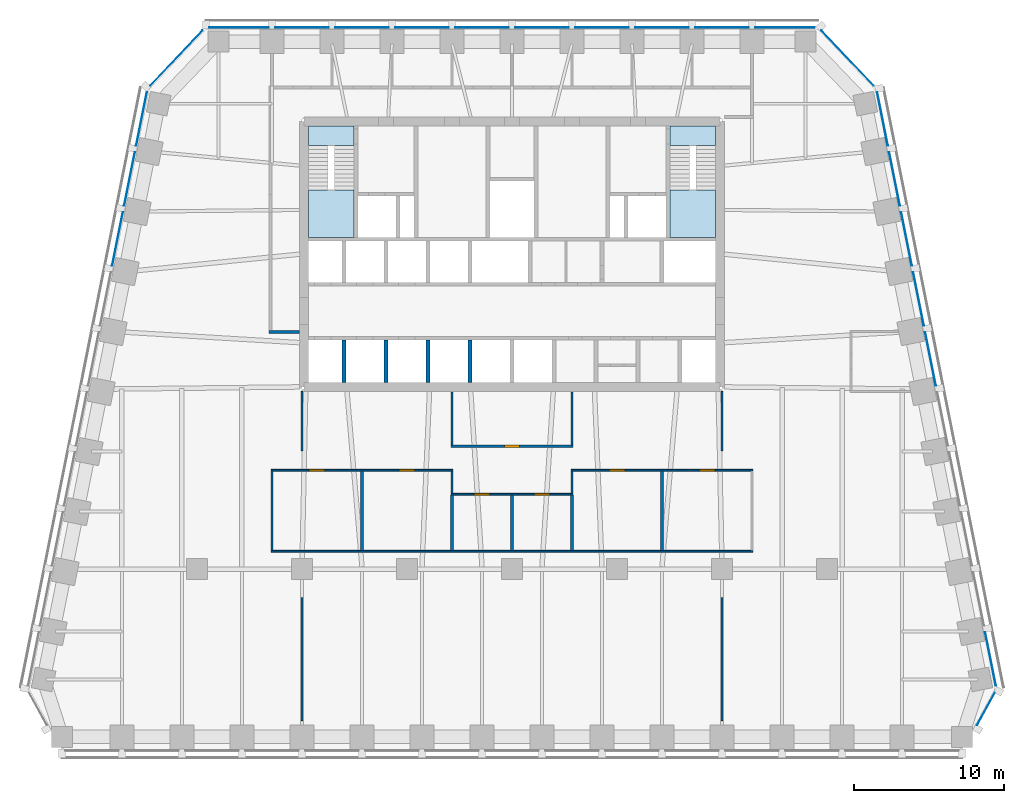
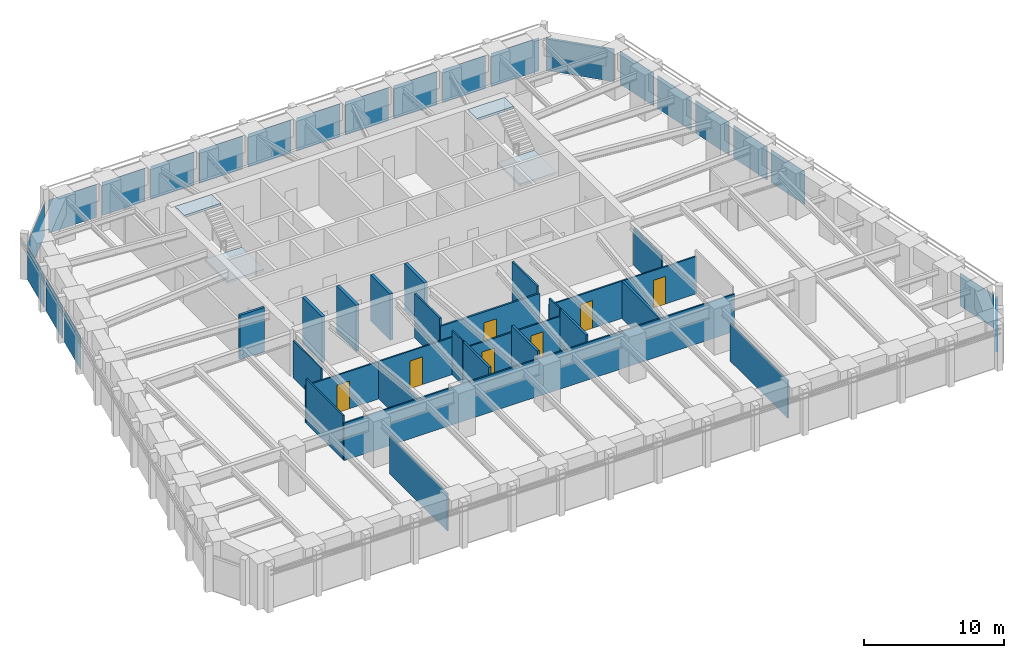
# One storey, part 5 of 10: 24 walls, 22 plates, 7 doors, 4 slabs, 7 openings, 8 elements without a shape of their own.
"""IFC4 building model written with IfcOpenShell, lengths in metres."""

import ifcopenshell
import ifcopenshell.guid

model = None  # the IFC model being written
_history = None  # IfcOwnerHistory: only IFC2X3 demands one
_inside = {}  # id of a spatial element -> (the spatial element, [elements in it])
_under = {}  # id of a project, library or spatial element -> (it, [spatial elements below it])
_declared = {}  # id of a project -> (the project, [libraries it declares])
_typed = {}  # id of a type object -> (the type object, [elements of that type])
_made_of = {}  # id of a material, layer set ... -> (it, [elements and type objects made of it])


def new_model(schema):
    """Start an empty IFC model of exactly this schema.

    Asked for "IFC4X3", IfcOpenShell would pick the latest addendum, in which some entities
    have other attributes; the version numbers below select the first issue.
    IFC2X3 requires an IfcOwnerHistory on every rooted entity: one is made here for all.
    """
    global model, _history
    if schema == "IFC4X3":
        model = ifcopenshell.file(schema_version=(4, 3, 0, 0))
    else:
        model = ifcopenshell.file(schema=schema)
    _inside.clear()
    _under.clear()
    _declared.clear()
    _typed.clear()
    _made_of.clear()
    _history = None
    if model.schema == "IFC2X3":
        org = make("IfcOrganization", Name="unknown")
        user = make(
            "IfcPersonAndOrganization",
            ThePerson=make("IfcPerson", FamilyName="unknown"),
            TheOrganization=org,
        )
        app = make(
            "IfcApplication",
            ApplicationDeveloper=org,
            Version="unknown",
            ApplicationFullName="unknown",
            ApplicationIdentifier="unknown",
        )
        _history = make(
            "IfcOwnerHistory",
            OwningUser=user,
            OwningApplication=app,
            ChangeAction="ADDED",
            CreationDate=0,
        )
    return model


def make(cls, **values):
    """One entity of the class cls with the attributes given. An attribute that is None is left unset."""
    return model.create_entity(
        cls, **{name: value for name, value in values.items() if value is not None}
    )


def rooted(cls, **values):
    """An entity with a GlobalId (a new one), such as an element, a storey or a relation."""
    return make(cls, GlobalId=ifcopenshell.guid.new(), OwnerHistory=_history, **values)


def si_unit(unit_type, name, prefix=None):
    """IfcSIUnit, for example si_unit("LENGTHUNIT", "METRE", prefix="MILLI")."""
    return make("IfcSIUnit", UnitType=unit_type, Prefix=prefix, Name=name)


def assignment(units):
    """IfcUnitAssignment: the units of a project."""
    return None if units is None else make("IfcUnitAssignment", Units=units)


def point(xyz):
    """IfcCartesianPoint."""
    return None if xyz is None else make("IfcCartesianPoint", Coordinates=xyz)


def direction(xyz):
    """IfcDirection."""
    return None if xyz is None else make("IfcDirection", DirectionRatios=xyz)


def frame(location, z_axis=None, x_axis=None):
    """IfcAxis2Placement3D, a coordinate frame: its origin and axes. An axis left out is left unset."""
    return make(
        "IfcAxis2Placement3D",
        Location=point(location),
        Axis=direction(z_axis),
        RefDirection=direction(x_axis),
    )


def frame_2d(location, x_axis=None):
    """IfcAxis2Placement2D, a coordinate frame in the plane: its origin and x axis."""
    return make(
        "IfcAxis2Placement2D", Location=point(location), RefDirection=direction(x_axis)
    )


def origin():
    """The frame at (0, 0, 0) with its axes left unset."""
    return frame((0.0, 0.0, 0.0))


def origin_2d():
    """The frame at (0, 0) in the plane with its x axis left unset."""
    return frame_2d((0.0, 0.0))


def place(relative_to, where):
    """IfcLocalPlacement: puts the frame where relative to a parent placement (None: the world)."""
    return make(
        "IfcLocalPlacement", PlacementRelTo=relative_to, RelativePlacement=where
    )


def context(
    kind, dimensions, precision=None, world=None, true_north=None, identifier=None
):
    """IfcGeometricRepresentationContext, for example the 3D "Model" context."""
    return make(
        "IfcGeometricRepresentationContext",
        ContextIdentifier=identifier,
        ContextType=kind,
        CoordinateSpaceDimension=dimensions,
        Precision=precision,
        WorldCoordinateSystem=world,
        TrueNorth=true_north,
    )


def subcontext(parent, identifier, kind, view, scale=None):
    """IfcGeometricRepresentationSubContext, for example "Body" below "Model"."""
    return make(
        "IfcGeometricRepresentationSubContext",
        ContextIdentifier=identifier,
        ContextType=kind,
        ParentContext=parent,
        TargetScale=scale,
        TargetView=view,
    )


def project(units=None, contexts=None):
    """IfcProject with its units and contexts."""
    return rooted(
        "IfcProject",
        Name="project",
        RepresentationContexts=contexts,
        UnitsInContext=assignment(units),
    )


def spatial(cls, under=None, at=None, **own):
    """A site, building, storey or space (cls), placed at a placement, below another one or the project."""
    s = rooted(cls, ObjectPlacement=at, **own)
    if under is not None:
        _under.setdefault(under.id(), (under, []))[1].append(s)
    return s


def polyline(points):
    """IfcPolyline through the points."""
    return make("IfcPolyline", Points=[point(p) for p in points])


def profile(cls, at=None, kind="AREA", **sizes):
    """A parametric profile (cls). Its sizes go by their IFC names, for example OverallWidth=200.0."""
    return make(cls, ProfileType=kind, Position=at, **sizes)


def rectangle(**sizes):
    """IfcRectangleProfileDef."""
    return profile("IfcRectangleProfileDef", **sizes)


def outline(outer, holes=None, kind="AREA"):
    """IfcArbitraryClosedProfileDef: a profile drawn as a closed curve; with holes, ...WithVoids."""
    if holes is None:
        return make("IfcArbitraryClosedProfileDef", ProfileType=kind, OuterCurve=outer)
    return make(
        "IfcArbitraryProfileDefWithVoids",
        ProfileType=kind,
        OuterCurve=outer,
        InnerCurves=holes,
    )


def extrude(swept, where, along, depth):
    """IfcExtrudedAreaSolid: the profile swept, set in the frame where, extruded along a direction by depth."""
    return make(
        "IfcExtrudedAreaSolid",
        SweptArea=swept,
        Position=where,
        ExtrudedDirection=direction(along),
        Depth=depth,
    )


def shape(context_of_items, identifier, shape_type, items):
    """IfcShapeRepresentation: the items that make up one representation, for example the "Body"."""
    return make(
        "IfcShapeRepresentation",
        ContextOfItems=context_of_items,
        RepresentationIdentifier=identifier,
        RepresentationType=shape_type,
        Items=items,
    )


def material(Name=None, Category=None):
    """IfcMaterial."""
    return make("IfcMaterial", Name=Name, Category=Category)


def layer(
    of_material, thickness, ventilated=None, Name=None, Category=None, Priority=None
):
    """IfcMaterialLayer: one layer of a wall or slab, of a material (None: an air gap)."""
    return make(
        "IfcMaterialLayer",
        Material=of_material,
        LayerThickness=thickness,
        IsVentilated=ventilated,
        Name=Name,
        Category=Category,
        Priority=Priority,
    )


def layer_set(layers, Name=None):
    """IfcMaterialLayerSet."""
    return make("IfcMaterialLayerSet", MaterialLayers=layers, LayerSetName=Name)


def made_of(thing, what):
    """Note that an element or type object is made of a material, layer set ...; save() writes the relation."""
    if what is not None:
        _made_of.setdefault(what.id(), (what, []))[1].append(thing)
    return thing


def type_object(cls, material=None, **own):
    """A type object (cls), such as IfcWallType, which elements share."""
    return made_of(rooted(cls, **own), material)


def element(
    cls,
    number,
    at=None,
    inside=None,
    cuts=None,
    type_object=None,
    material=None,
    context=None,
    identifier="Body",
    shape_type=None,
    held_by="IfcProductDefinitionShape",
    body=None,
    shapes=None,
    **own,
):
    """One element of the class cls, such as IfcWall. Its Tag is "e" and its number.

    at: its placement. inside: the storey or other place that contains it. cuts: it is an
    opening in that element (IfcRelVoidsElement). A single representation is given by context,
    identifier, shape_type and body (its items); several are given by shapes. held_by: the class
    of the entity that holds the representations. save() writes the other relations.
    """
    e = rooted(cls, Tag="e%d" % number, ObjectPlacement=at, **own)
    if body is not None:
        shapes = [shape(context, identifier, shape_type, body)]
    if shapes is not None:
        e.Representation = make(held_by, Representations=shapes)
    if inside is not None:
        _inside.setdefault(inside.id(), (inside, []))[1].append(e)
    if cuts is not None:
        rooted(
            "IfcRelVoidsElement", RelatingBuildingElement=cuts, RelatedOpeningElement=e
        )
    if type_object is not None:
        _typed.setdefault(type_object.id(), (type_object, []))[1].append(e)
    return made_of(e, material)


def fill(opening, filler):
    """IfcRelFillsElement: the door or window that sits in an opening."""
    return rooted(
        "IfcRelFillsElement",
        RelatingOpeningElement=opening,
        RelatedBuildingElement=filler,
    )


def aggregate(whole, parts):
    """IfcRelAggregates: a whole, such as a stair, and the parts it consists of."""
    return rooted("IfcRelAggregates", RelatingObject=whole, RelatedObjects=parts)


def save(model, path):
    """Write the relations noted so far, then the file.

    IfcRelAggregates (storeys below a building ...), IfcRelContainedInSpatialStructure (elements
    in a storey), IfcRelDefinesByType, IfcRelAssociatesMaterial and IfcRelDeclares: one each for
    every whole, place, type object, material and project.
    """
    for whole, parts in _under.values():
        aggregate(whole, parts)
    for where, things in _inside.values():
        rooted(
            "IfcRelContainedInSpatialStructure",
            RelatedElements=things,
            RelatingStructure=where,
        )
    for kind, things in _typed.values():
        rooted("IfcRelDefinesByType", RelatedObjects=things, RelatingType=kind)
    for what, things in _made_of.values():
        rooted("IfcRelAssociatesMaterial", RelatedObjects=things, RelatingMaterial=what)
    for by, libraries in _declared.values():
        rooted("IfcRelDeclares", RelatingContext=by, RelatedDefinitions=libraries)
    model.write(path)


model = new_model("IFC4")

# Units and contexts
model_context = context("Model", 3, precision=1e-05, world=origin(), true_north=direction((0.0, 1.0)))
body_context = subcontext(model_context, "Body", "Model", "MODEL_VIEW")
ifc_project = project(units=[si_unit("LENGTHUNIT", "METRE"), si_unit("AREAUNIT", "SQUARE_METRE"), si_unit("VOLUMEUNIT", "CUBIC_METRE"), si_unit("PLANEANGLEUNIT", "RADIAN"), si_unit("MASSUNIT", "GRAM", prefix="KILO")], contexts=[model_context])

# Site, building, storey
site_placement = place(None, origin())
site = spatial("IfcSite", under=ifc_project, at=site_placement, CompositionType="ELEMENT")
building_placement = place(site_placement, origin())
building = spatial("IfcBuilding", under=site, at=building_placement, Name="Isbrekke Arena Tower", CompositionType="ELEMENT")
storey_placement = place(building_placement, frame((0.0, 0.0, 186.0)))
storey = spatial("IfcBuildingStorey", under=building, at=storey_placement, Name="L42", CompositionType="ELEMENT", Elevation=186.0)

# Curtain wall, plate
ifc_material_1 = material(Name="Glazed aluminium curtain wall", Category="aluminium")
curtain_wall_type = type_object("IfcCurtainWallType", Name="CWH TOWER CURTAIN WALL HIGH ZONE", PredefinedType="USERDEFINED", material=ifc_material_1)
curtain_wall_1_placement = place(storey_placement, origin())
curtain_wall_1 = element("IfcCurtainWall", 1, at=curtain_wall_1_placement, inside=storey, type_object=curtain_wall_type, Name="CWH curtain wall L42-SE", ObjectType="TOWER CURTAIN WALL HIGH ZONE", PredefinedType="USERDEFINED")
ifc_material_2 = material(Name="Triple-glazed clear glass unit", Category="glass")
ifc_layer_1 = layer(ifc_material_2, 0.031982421875)
ifc_layer_set_1 = layer_set([ifc_layer_1], Name="CWH-P VISION PANEL")
plate_type = type_object("IfcPlateType", Name="CWH-P VISION PANEL", PredefinedType="CURTAIN_PANEL", material=ifc_layer_set_1)
plate_1_placement = place(storey_placement, frame((31.5908203125, -15.3154296875, 0.02001953125), z_axis=(0.0, 0.0, 1.0), x_axis=(0.481918749773, 0.876215908676, 0.0)))
plate_1 = element("IfcPlate", 2, at=plate_1_placement, type_object=plate_type, Name="CWH-P panel 1", PredefinedType="CURTAIN_PANEL", context=body_context, shape_type="SweptSolid", body=[
    extrude(rectangle(XDim=2.4423828125, YDim=0.031982421875, at=origin_2d()), origin(), (0.0, 0.0, 1.0), 2.8798828125),
])
aggregate(curtain_wall_1, [plate_1])

# Curtain wall, plates
curtain_wall_2_placement = place(storey_placement, origin())
curtain_wall_2 = element("IfcCurtainWall", 3, at=curtain_wall_2_placement, inside=storey, type_object=curtain_wall_type, Name="CWH curtain wall L42-E", ObjectType="TOWER CURTAIN WALL HIGH ZONE", PredefinedType="USERDEFINED")
plate_2_placement = place(storey_placement, frame((31.89794921875, -11.98046875, 0.02001953125), z_axis=(0.0, 0.0, 1.0), x_axis=(-0.196116135138, 0.980580675691, 0.0)))
plate_2 = element("IfcPlate", 4, at=plate_2_placement, type_object=plate_type, Name="CWH-P panel 1", PredefinedType="CURTAIN_PANEL", context=body_context, shape_type="SweptSolid", body=[
    extrude(rectangle(XDim=3.629150390625, YDim=0.031982421875, at=origin_2d()), origin(), (0.0, 0.0, 1.0), 2.8798828125),
])
plate_3_placement = place(storey_placement, frame((27.89794921875, 8.01953125, 0.02001953125), z_axis=(0.0, 0.0, 1.0), x_axis=(-0.196116135138, 0.980580675691, 0.0)))
plate_3 = element("IfcPlate", 5, at=plate_3_placement, type_object=plate_type, Name="CWH-P panel 6", PredefinedType="CURTAIN_PANEL", context=body_context, shape_type="SweptSolid", body=[
    extrude(rectangle(XDim=3.629150390625, YDim=0.031982421875, at=origin_2d()), origin(), (0.0, 0.0, 1.0), 2.8798828125),
])
plate_4_placement = place(storey_placement, frame((27.09814453125, 12.01953125, 0.02001953125), z_axis=(0.0, 0.0, 1.0), x_axis=(-0.196116135138, 0.980580675691, 0.0)))
plate_4 = element("IfcPlate", 6, at=plate_4_placement, type_object=plate_type, Name="CWH-P panel 7", PredefinedType="CURTAIN_PANEL", context=body_context, shape_type="SweptSolid", body=[
    extrude(rectangle(XDim=3.629150390625, YDim=0.031982421875, at=origin_2d()), origin(), (0.0, 0.0, 1.0), 2.8798828125),
])
plate_5_placement = place(storey_placement, frame((26.298095703125, 16.01953125, 0.02001953125), z_axis=(0.0, 0.0, 1.0), x_axis=(-0.196116135138, 0.980580675691, 0.0)))
plate_5 = element("IfcPlate", 7, at=plate_5_placement, type_object=plate_type, Name="CWH-P panel 8", PredefinedType="CURTAIN_PANEL", context=body_context, shape_type="SweptSolid", body=[
    extrude(rectangle(XDim=3.629150390625, YDim=0.031982421875, at=origin_2d()), origin(), (0.0, 0.0, 1.0), 2.8798828125),
])
plate_6_placement = place(storey_placement, frame((25.498046875, 20.01953125, 0.02001953125), z_axis=(0.0, 0.0, 1.0), x_axis=(-0.196116135138, 0.980580675691, 0.0)))
plate_6 = element("IfcPlate", 8, at=plate_6_placement, type_object=plate_type, Name="CWH-P panel 9", PredefinedType="CURTAIN_PANEL", context=body_context, shape_type="SweptSolid", body=[
    extrude(rectangle(XDim=3.629150390625, YDim=0.031982421875, at=origin_2d()), origin(), (0.0, 0.0, 1.0), 2.8798828125),
])
plate_7_placement = place(storey_placement, frame((24.697998046875, 24.01953125, 0.02001953125), z_axis=(0.0, 0.0, 1.0), x_axis=(-0.196116135138, 0.980580675691, 0.0)))
plate_7 = element("IfcPlate", 9, at=plate_7_placement, type_object=plate_type, Name="CWH-P panel 10", PredefinedType="CURTAIN_PANEL", context=body_context, shape_type="SweptSolid", body=[
    extrude(rectangle(XDim=3.629150390625, YDim=0.031982421875, at=origin_2d()), origin(), (0.0, 0.0, 1.0), 2.8798828125),
])
aggregate(curtain_wall_2, [plate_2, plate_3, plate_4, plate_5, plate_6, plate_7])

# Curtain wall, plate
curtain_wall_3_placement = place(storey_placement, origin())
curtain_wall_3 = element("IfcCurtainWall", 10, at=curtain_wall_3_placement, inside=storey, type_object=curtain_wall_type, Name="CWH curtain wall L42-EN", ObjectType="TOWER CURTAIN WALL HIGH ZONE", PredefinedType="USERDEFINED")
plate_8_placement = place(storey_placement, frame((22.37255859375, 28.06884765625, 0.02001953125), z_axis=(0.0, 0.0, 1.0), x_axis=(-0.68874946192, 0.72499943359, 0.0)))
plate_8 = element("IfcPlate", 11, at=plate_8_placement, type_object=plate_type, Name="CWH-P panel 1", PredefinedType="CURTAIN_PANEL", context=body_context, shape_type="SweptSolid", body=[
    extrude(rectangle(XDim=5.067138671875, YDim=0.031982421875, at=origin_2d()), origin(), (0.0, 0.0, 1.0), 2.8798828125),
])
aggregate(curtain_wall_3, [plate_8])

# Curtain wall, plates
curtain_wall_4_placement = place(storey_placement, origin())
curtain_wall_4 = element("IfcCurtainWall", 12, at=curtain_wall_4_placement, inside=storey, type_object=curtain_wall_type, Name="CWH curtain wall L42-N", ObjectType="TOWER CURTAIN WALL HIGH ZONE", PredefinedType="USERDEFINED")
plate_9_placement = place(storey_placement, frame((18.199951171875, 30.10009765625, 0.02001953125), z_axis=(0.0, 0.0, 1.0), x_axis=(-1.0, 0.0, 0.0)))
plate_9 = element("IfcPlate", 13, at=plate_9_placement, type_object=plate_type, Name="CWH-P panel 1", PredefinedType="CURTAIN_PANEL", context=body_context, shape_type="SweptSolid", body=[
    extrude(rectangle(XDim=3.949951171875, YDim=0.031982421875, at=origin_2d()), origin(), (0.0, 0.0, 1.0), 2.8798828125),
])
plate_10_placement = place(storey_placement, frame((14.0, 30.10009765625, 0.02001953125), z_axis=(0.0, 0.0, 1.0), x_axis=(-1.0, 0.0, 0.0)))
plate_10 = element("IfcPlate", 14, at=plate_10_placement, type_object=plate_type, Name="CWH-P panel 2", PredefinedType="CURTAIN_PANEL", context=body_context, shape_type="SweptSolid", body=[
    extrude(rectangle(XDim=3.550048828125, YDim=0.031982421875, at=origin_2d()), origin(), (0.0, 0.0, 1.0), 2.8798828125),
])
plate_11_placement = place(storey_placement, frame((10.0, 30.10009765625, 0.02001953125), z_axis=(0.0, 0.0, 1.0), x_axis=(-1.0, 0.0, 0.0)))
plate_11 = element("IfcPlate", 15, at=plate_11_placement, type_object=plate_type, Name="CWH-P panel 3", PredefinedType="CURTAIN_PANEL", context=body_context, shape_type="SweptSolid", body=[
    extrude(rectangle(XDim=3.550048828125, YDim=0.031982421875, at=origin_2d()), origin(), (0.0, 0.0, 1.0), 2.8798828125),
])
plate_12_placement = place(storey_placement, frame((6.0, 30.10009765625, 0.02001953125), z_axis=(0.0, 0.0, 1.0), x_axis=(-1.0, 0.0, 0.0)))
plate_12 = element("IfcPlate", 16, at=plate_12_placement, type_object=plate_type, Name="CWH-P panel 4", PredefinedType="CURTAIN_PANEL", context=body_context, shape_type="SweptSolid", body=[
    extrude(rectangle(XDim=3.550048828125, YDim=0.031982421875, at=origin_2d()), origin(), (0.0, 0.0, 1.0), 2.8798828125),
])
plate_13_placement = place(storey_placement, frame((2.0, 30.10009765625, 0.02001953125), z_axis=(0.0, 0.0, 1.0), x_axis=(-1.0, 0.0, 0.0)))
plate_13 = element("IfcPlate", 17, at=plate_13_placement, type_object=plate_type, Name="CWH-P panel 5", PredefinedType="CURTAIN_PANEL", context=body_context, shape_type="SweptSolid", body=[
    extrude(rectangle(XDim=3.550048828125, YDim=0.031982421875, at=origin_2d()), origin(), (0.0, 0.0, 1.0), 2.8798828125),
])
plate_14_placement = place(storey_placement, frame((-2.0, 30.10009765625, 0.02001953125), z_axis=(0.0, 0.0, 1.0), x_axis=(-1.0, 0.0, 0.0)))
plate_14 = element("IfcPlate", 18, at=plate_14_placement, type_object=plate_type, Name="CWH-P panel 6", PredefinedType="CURTAIN_PANEL", context=body_context, shape_type="SweptSolid", body=[
    extrude(rectangle(XDim=3.550048828125, YDim=0.031982421875, at=origin_2d()), origin(), (0.0, 0.0, 1.0), 2.8798828125),
])
plate_15_placement = place(storey_placement, frame((-6.0, 30.10009765625, 0.02001953125), z_axis=(0.0, 0.0, 1.0), x_axis=(-1.0, 0.0, 0.0)))
plate_15 = element("IfcPlate", 19, at=plate_15_placement, type_object=plate_type, Name="CWH-P panel 7", PredefinedType="CURTAIN_PANEL", context=body_context, shape_type="SweptSolid", body=[
    extrude(rectangle(XDim=3.550048828125, YDim=0.031982421875, at=origin_2d()), origin(), (0.0, 0.0, 1.0), 2.8798828125),
])
plate_16_placement = place(storey_placement, frame((-10.0, 30.10009765625, 0.02001953125), z_axis=(0.0, 0.0, 1.0), x_axis=(-1.0, 0.0, 0.0)))
plate_16 = element("IfcPlate", 20, at=plate_16_placement, type_object=plate_type, Name="CWH-P panel 8", PredefinedType="CURTAIN_PANEL", context=body_context, shape_type="SweptSolid", body=[
    extrude(rectangle(XDim=3.550048828125, YDim=0.031982421875, at=origin_2d()), origin(), (0.0, 0.0, 1.0), 2.8798828125),
])
plate_17_placement = place(storey_placement, frame((-14.0, 30.10009765625, 0.02001953125), z_axis=(0.0, 0.0, 1.0), x_axis=(-1.0, 0.0, 0.0)))
plate_17 = element("IfcPlate", 21, at=plate_17_placement, type_object=plate_type, Name="CWH-P panel 9", PredefinedType="CURTAIN_PANEL", context=body_context, shape_type="SweptSolid", body=[
    extrude(rectangle(XDim=3.550048828125, YDim=0.031982421875, at=origin_2d()), origin(), (0.0, 0.0, 1.0), 2.8798828125),
])
plate_18_placement = place(storey_placement, frame((-18.199951171875, 30.10009765625, 0.02001953125), z_axis=(0.0, 0.0, 1.0), x_axis=(-1.0, 0.0, 0.0)))
plate_18 = element("IfcPlate", 22, at=plate_18_placement, type_object=plate_type, Name="CWH-P panel 10", PredefinedType="CURTAIN_PANEL", context=body_context, shape_type="SweptSolid", body=[
    extrude(rectangle(XDim=3.949951171875, YDim=0.031982421875, at=origin_2d()), origin(), (0.0, 0.0, 1.0), 2.8798828125),
])
aggregate(curtain_wall_4, [plate_9, plate_10, plate_11, plate_12, plate_13, plate_14, plate_15, plate_16, plate_17, plate_18])

# Curtain wall, plate
curtain_wall_5_placement = place(storey_placement, origin())
curtain_wall_5 = element("IfcCurtainWall", 23, at=curtain_wall_5_placement, inside=storey, type_object=curtain_wall_type, Name="CWH curtain wall L42-NW", ObjectType="TOWER CURTAIN WALL HIGH ZONE", PredefinedType="USERDEFINED")
plate_19_placement = place(storey_placement, frame((-22.37255859375, 28.06884765625, 0.02001953125), z_axis=(0.0, 0.0, 1.0), x_axis=(-0.68874946192, -0.72499943359, 0.0)))
plate_19 = element("IfcPlate", 24, at=plate_19_placement, type_object=plate_type, Name="CWH-P panel 1", PredefinedType="CURTAIN_PANEL", context=body_context, shape_type="SweptSolid", body=[
    extrude(rectangle(XDim=5.067138671875, YDim=0.031982421875, at=origin_2d()), origin(), (0.0, 0.0, 1.0), 2.8798828125),
])
aggregate(curtain_wall_5, [plate_19])

# Curtain wall, plates
curtain_wall_6_placement = place(storey_placement, origin())
curtain_wall_6 = element("IfcCurtainWall", 25, at=curtain_wall_6_placement, inside=storey, type_object=curtain_wall_type, Name="CWH curtain wall L42-W", ObjectType="TOWER CURTAIN WALL HIGH ZONE", PredefinedType="USERDEFINED")
plate_20_placement = place(storey_placement, frame((-24.697998046875, 24.01953125, 0.02001953125), z_axis=(0.0, 0.0, 1.0), x_axis=(-0.196116135138, -0.980580675691, 0.0)))
plate_20 = element("IfcPlate", 26, at=plate_20_placement, type_object=plate_type, Name="CWH-P panel 1", PredefinedType="CURTAIN_PANEL", context=body_context, shape_type="SweptSolid", body=[
    extrude(rectangle(XDim=3.629150390625, YDim=0.031982421875, at=origin_2d()), origin(), (0.0, 0.0, 1.0), 2.8798828125),
])
plate_21_placement = place(storey_placement, frame((-25.498046875, 20.01953125, 0.02001953125), z_axis=(0.0, 0.0, 1.0), x_axis=(-0.196116135138, -0.980580675691, 0.0)))
plate_21 = element("IfcPlate", 27, at=plate_21_placement, type_object=plate_type, Name="CWH-P panel 2", PredefinedType="CURTAIN_PANEL", context=body_context, shape_type="SweptSolid", body=[
    extrude(rectangle(XDim=3.629150390625, YDim=0.031982421875, at=origin_2d()), origin(), (0.0, 0.0, 1.0), 2.8798828125),
])
plate_22_placement = place(storey_placement, frame((-26.298095703125, 16.01953125, 0.02001953125), z_axis=(0.0, 0.0, 1.0), x_axis=(-0.196116135138, -0.980580675691, 0.0)))
plate_22 = element("IfcPlate", 28, at=plate_22_placement, type_object=plate_type, Name="CWH-P panel 3", PredefinedType="CURTAIN_PANEL", context=body_context, shape_type="SweptSolid", body=[
    extrude(rectangle(XDim=3.629150390625, YDim=0.031982421875, at=origin_2d()), origin(), (0.0, 0.0, 1.0), 2.8798828125),
])
aggregate(curtain_wall_6, [plate_20, plate_21, plate_22])

# Stair, slabs
ifc_material_3 = material(Name="Concrete B45 (C45/55) precast", Category="concrete")
stair_type = type_object("IfcStairType", Name="ST40 STAIR 1300 WIDE, 24 RISERS 167", PredefinedType="HALF_TURN_STAIR", material=ifc_material_3)
stair_1_placement = place(storey_placement, origin())
stair_1 = element("IfcStair", 29, at=stair_1_placement, inside=storey, type_object=stair_type, Name="ST1 stair L42", PredefinedType="HALF_TURN_STAIR")
ifc_material_4 = material(Name="Concrete B35 (C35/45)", Category="concrete")
ifc_layer_2 = layer(ifc_material_4, 0.199951171875)
ifc_layer_set_2 = layer_set([ifc_layer_2], Name="SL1 STAIR LANDING 200")
slab_type = type_object("IfcSlabType", Name="SL1 STAIR LANDING 200", PredefinedType="LANDING", material=ifc_layer_set_2)
slab_1_placement = place(storey_placement, frame((0.0, 0.0, 1.800048828125)))
slab_1 = element("IfcSlab", 30, at=slab_1_placement, type_object=slab_type, Name="ST1 landing 1", PredefinedType="LANDING", context=body_context, shape_type="SweptSolid", body=[
    extrude(outline(polyline([(-13.550048828125, 16.125), (-10.52490234375, 16.125), (-10.52490234375, 19.280029296875), (-13.550048828125, 19.280029296875), (-13.550048828125, 16.125)])), origin(), (0.0, 0.0, 1.0), 0.199951171875),
])
slab_2_placement = place(storey_placement, frame((0.0, 0.0, 3.800048828125)))
slab_2 = element("IfcSlab", 31, at=slab_2_placement, type_object=slab_type, Name="ST1 landing 2", PredefinedType="LANDING", context=body_context, shape_type="SweptSolid", body=[
    extrude(outline(polyline([(-13.550048828125, 22.25), (-10.52490234375, 22.25), (-10.52490234375, 23.550048828125), (-13.550048828125, 23.550048828125), (-13.550048828125, 22.25)])), origin(), (0.0, 0.0, 1.0), 0.199951171875),
])
aggregate(stair_1, [slab_1, slab_2])

stair_2_placement = place(storey_placement, origin())
stair_2 = element("IfcStair", 32, at=stair_2_placement, inside=storey, type_object=stair_type, Name="ST2 stair L42", PredefinedType="HALF_TURN_STAIR")
slab_3_placement = place(storey_placement, frame((0.0, 0.0, 1.800048828125)))
slab_3 = element("IfcSlab", 33, at=slab_3_placement, type_object=slab_type, Name="ST2 landing 1", PredefinedType="LANDING", context=body_context, shape_type="SweptSolid", body=[
    extrude(outline(polyline([(10.52490234375, 16.125), (13.550048828125, 16.125), (13.550048828125, 19.280029296875), (10.52490234375, 19.280029296875), (10.52490234375, 16.125)])), origin(), (0.0, 0.0, 1.0), 0.199951171875),
])
slab_4_placement = place(storey_placement, frame((0.0, 0.0, 3.800048828125)))
slab_4 = element("IfcSlab", 34, at=slab_4_placement, type_object=slab_type, Name="ST2 landing 2", PredefinedType="LANDING", context=body_context, shape_type="SweptSolid", body=[
    extrude(outline(polyline([(10.52490234375, 22.25), (13.550048828125, 22.25), (13.550048828125, 23.550048828125), (10.52490234375, 23.550048828125), (10.52490234375, 22.25)])), origin(), (0.0, 0.0, 1.0), 0.199951171875),
])
aggregate(stair_2, [slab_3, slab_4])

# Walls
ifc_material_5 = material(Name="Concrete B45 (C45/55)", Category="concrete")
ifc_layer_3 = layer(ifc_material_5, 0.25)
ifc_layer_set_3 = layer_set([ifc_layer_3], Name="CW6 SHAFT WALL 250")
wall_type_1 = type_object("IfcWallType", Name="CW6 SHAFT WALL 250", PredefinedType="SHEAR", material=ifc_layer_set_3)
for number, where, z_axis, x_axis, name in (
    (35, (-11.199951171875, 6.449951171875, 0.0), (0.0, 0.0, 1.0), (0.0, 1.0, 0.0), "Core wall SS01 L42"),
    (36, (-8.39990234375, 6.449951171875, 0.0), (0.0, 0.0, 1.0), (0.0, 1.0, 0.0), "Core wall SS02 L42"),
    (37, (-5.60009765625, 6.449951171875, 0.0), (0.0, 0.0, 1.0), (0.0, 1.0, 0.0), "Core wall SS03 L42"),
    (38, (-2.800048828125, 6.449951171875, 0.0), (0.0, 0.0, 1.0), (0.0, 1.0, 0.0), "Core wall SS04 L42"),
):
    element("IfcWall", number, at=place(storey_placement, frame(where, z_axis=z_axis, x_axis=x_axis)), inside=storey, type_object=wall_type_1, Name=name, PredefinedType="SHEAR", context=body_context, shape_type="SweptSolid", body=[
        extrude(rectangle(XDim=2.824951171875, YDim=0.25, at=frame_2d((1.41259765625, 0.0))), origin(), (0.0, 0.0, 1.0), 4.0),
    ])

# Wall, opening, door
ifc_material_6 = material(Name="Gypsum board partition on steel studs", Category="steel")
ifc_layer_4 = layer(ifc_material_6, 0.14990234375)
ifc_layer_set_4 = layer_set([ifc_layer_4], Name="IW1 PARTITION 150")
wall_type_2 = type_object("IfcWallType", Name="IW1 PARTITION 150", PredefinedType="PARTITIONING", material=ifc_layer_set_4)
wall_1_placement = place(storey_placement, frame((-4.074951171875, 2.199951171875, 0.0), z_axis=(0.0, 0.0, 1.0), x_axis=(1.0, 0.0, 0.0)))
wall_1 = element("IfcWall", 39, at=wall_1_placement, inside=storey, type_object=wall_type_2, Name="IW1 partition 150 L42", PredefinedType="PARTITIONING", context=body_context, shape_type="SweptSolid", body=[
    extrude(rectangle(XDim=8.14990234375, YDim=0.14990234375, at=frame_2d((4.074951171875, 0.0))), origin(), (0.0, 0.0, 1.0), 3.25),
])
opening_1_placement = place(wall_1_placement, frame((3.574951171875, 0.0, 0.0)))
opening_1 = element("IfcOpeningElement", 40, at=opening_1_placement, cuts=wall_1, Name="Opening D10", PredefinedType="OPENING", context=body_context, shape_type="SweptSolid", body=[
    extrude(rectangle(XDim=1.0, YDim=2.300048828125, at=frame_2d((0.5, 1.14990234375))), frame((0.0, 0.08984375, 0.0), z_axis=(0.0, -1.0, 0.0), x_axis=(1.0, 0.0, 0.0)), (0.0, 0.0, 1.0), 0.1796875),
])
ifc_material_7 = material(Name="Timber door", Category="wood")
door_type_1 = type_object("IfcDoorType", Name="D10 OFFICE DOOR 1000 x 2300", OperationType="SINGLE_SWING_LEFT", PredefinedType="DOOR", material=ifc_material_7)
door_1_placement = place(opening_1_placement, origin())
door_1 = element("IfcDoor", 41, at=door_1_placement, inside=storey, type_object=door_type_1, Name="D10 technical room door L42", OperationType="SINGLE_SWING_LEFT", OverallHeight=2.300048828125, OverallWidth=1.0, PredefinedType="DOOR", context=body_context, shape_type="SweptSolid", body=[
    extrude(rectangle(XDim=1.0, YDim=2.300048828125, at=frame_2d((0.5, 1.14990234375))), frame((0.0, 0.07470703125, 0.0), z_axis=(0.0, -1.0, 0.0), x_axis=(1.0, 0.0, 0.0)), (0.0, 0.0, 1.0), 0.1494140625),
])
fill(opening_1, door_1)

# Walls
for number, where, z_axis, x_axis, name in (
    (42, (-4.0, 2.27490234375, 0.0), (0.0, 0.0, 1.0), (0.0, 1.0, 0.0), "IW1 partition 150 L42"),
    (43, (4.0, 2.27490234375, 0.0), (0.0, 0.0, 1.0), (0.0, 1.0, 0.0), "IW1 partition 150 L42"),
):
    element("IfcWall", number, at=place(storey_placement, frame(where, z_axis=z_axis, x_axis=x_axis)), inside=storey, type_object=wall_type_2, Name=name, PredefinedType="PARTITIONING", context=body_context, shape_type="SweptSolid", body=[
        extrude(rectangle(XDim=3.545166015625, YDim=0.14990234375, at=frame_2d((1.7724609375, 0.0))), origin(), (0.0, 0.0, 1.0), 3.85009765625),
    ])
ifc_material_8 = material(Name="Frameless glazed partition, laminated acoustic glass", Category="glass")
ifc_layer_5 = layer(ifc_material_8, 0.1201171875)
ifc_layer_set_5 = layer_set([ifc_layer_5], Name="IW2 GLAZED PARTITION 120")
wall_type_3 = type_object("IfcWallType", Name="IW2 GLAZED PARTITION 120", PredefinedType="PARTITIONING", material=ifc_layer_set_5)
wall_2_placement = place(storey_placement, frame((-16.06005859375, -4.800048828125, 0.0), z_axis=(0.0, 0.0, 1.0), x_axis=(1.0, 0.0, 0.0)))
element("IfcWall", 44, at=wall_2_placement, inside=storey, type_object=wall_type_3, Name="IW2 glazed partition 120 L42", PredefinedType="PARTITIONING", context=body_context, shape_type="SweptSolid", body=[
    extrude(rectangle(XDim=32.1201171875, YDim=0.1201171875, at=frame_2d((16.06005859375, 0.0))), origin(), (0.0, 0.0, 1.0), 3.25),
])

# Wall, openings, doors
wall_3_placement = place(storey_placement, frame((-4.06005859375, -1.0, 0.0), z_axis=(0.0, 0.0, 1.0), x_axis=(1.0, 0.0, 0.0)))
wall_3 = element("IfcWall", 45, at=wall_3_placement, inside=storey, type_object=wall_type_3, Name="IW2 glazed partition 120 L42", PredefinedType="PARTITIONING", context=body_context, shape_type="SweptSolid", body=[
    extrude(rectangle(XDim=8.1201171875, YDim=0.1201171875, at=frame_2d((4.06005859375, 0.0))), origin(), (0.0, 0.0, 1.0), 3.25),
])
opening_2_placement = place(wall_3_placement, frame((1.56005859375, 0.0, 0.0)))
opening_2 = element("IfcOpeningElement", 46, at=opening_2_placement, cuts=wall_3, Name="Opening D11", PredefinedType="OPENING", context=body_context, shape_type="SweptSolid", body=[
    extrude(rectangle(XDim=1.0, YDim=2.39990234375, at=frame_2d((0.5, 1.199951171875))), frame((0.0, 0.074951171875, 0.0), z_axis=(0.0, -1.0, 0.0), x_axis=(1.0, 0.0, 0.0)), (0.0, 0.0, 1.0), 0.14990234375),
])
opening_3_placement = place(wall_3_placement, frame((5.56005859375, 0.0, 0.0)))
opening_3 = element("IfcOpeningElement", 47, at=opening_3_placement, cuts=wall_3, Name="Opening D11", PredefinedType="OPENING", context=body_context, shape_type="SweptSolid", body=[
    extrude(rectangle(XDim=1.0, YDim=2.39990234375, at=frame_2d((0.5, 1.199951171875))), frame((0.0, 0.074951171875, 0.0), z_axis=(0.0, -1.0, 0.0), x_axis=(1.0, 0.0, 0.0)), (0.0, 0.0, 1.0), 0.14990234375),
])
ifc_material_9 = material(Name="Frameless glazed door", Category="glass")
door_type_2 = type_object("IfcDoorType", Name="D11 GLAZED MEETING ROOM DOOR 1000 x 2400", OperationType="SINGLE_SWING_RIGHT", PredefinedType="DOOR", material=ifc_material_9)
door_2_placement = place(opening_2_placement, origin())
door_2 = element("IfcDoor", 48, at=door_2_placement, inside=storey, type_object=door_type_2, Name="D11 quiet room door L42", OperationType="SINGLE_SWING_RIGHT", OverallHeight=2.39990234375, OverallWidth=1.0, PredefinedType="DOOR", context=body_context, shape_type="SweptSolid", body=[
    extrude(rectangle(XDim=1.0, YDim=2.39990234375, at=frame_2d((0.5, 1.199951171875))), frame((0.0, 0.059814453125, 0.0), z_axis=(0.0, -1.0, 0.0), x_axis=(1.0, 0.0, 0.0)), (0.0, 0.0, 1.0), 0.11962890625),
])
fill(opening_2, door_2)
door_3_placement = place(opening_3_placement, origin())
door_3 = element("IfcDoor", 49, at=door_3_placement, inside=storey, type_object=door_type_2, Name="D11 quiet room door L42", OperationType="SINGLE_SWING_RIGHT", OverallHeight=2.39990234375, OverallWidth=1.0, PredefinedType="DOOR", context=body_context, shape_type="SweptSolid", body=[
    extrude(rectangle(XDim=1.0, YDim=2.39990234375, at=frame_2d((0.5, 1.199951171875))), frame((0.0, 0.059814453125, 0.0), z_axis=(0.0, -1.0, 0.0), x_axis=(1.0, 0.0, 0.0)), (0.0, 0.0, 1.0), 0.11962890625),
])
fill(opening_3, door_3)

wall_4_placement = place(storey_placement, frame((-16.06005859375, 0.60009765625, 0.0), z_axis=(0.0, 0.0, 1.0), x_axis=(1.0, 0.0, 0.0)))
wall_4 = element("IfcWall", 50, at=wall_4_placement, inside=storey, type_object=wall_type_3, Name="IW2 glazed partition 120 L42", PredefinedType="PARTITIONING", context=body_context, shape_type="SweptSolid", body=[
    extrude(rectangle(XDim=12.1201171875, YDim=0.1201171875, at=frame_2d((6.06005859375, 0.0))), origin(), (0.0, 0.0, 1.0), 3.25),
])
opening_4_placement = place(wall_4_placement, frame((2.56005859375, 0.0, 0.0)))
opening_4 = element("IfcOpeningElement", 51, at=opening_4_placement, cuts=wall_4, Name="Opening D11", PredefinedType="OPENING", context=body_context, shape_type="SweptSolid", body=[
    extrude(rectangle(XDim=1.0, YDim=2.39990234375, at=frame_2d((0.5, 1.199951171875))), frame((0.0, 0.074951171875, 0.0), z_axis=(0.0, -1.0, 0.0), x_axis=(1.0, 0.0, 0.0)), (0.0, 0.0, 1.0), 0.14990234375),
])
opening_5_placement = place(wall_4_placement, frame((8.56005859375, 0.0, 0.0)))
opening_5 = element("IfcOpeningElement", 52, at=opening_5_placement, cuts=wall_4, Name="Opening D11", PredefinedType="OPENING", context=body_context, shape_type="SweptSolid", body=[
    extrude(rectangle(XDim=1.0, YDim=2.39990234375, at=frame_2d((0.5, 1.199951171875))), frame((0.0, 0.074951171875, 0.0), z_axis=(0.0, -1.0, 0.0), x_axis=(1.0, 0.0, 0.0)), (0.0, 0.0, 1.0), 0.14990234375),
])
door_4_placement = place(opening_4_placement, origin())
door_4 = element("IfcDoor", 53, at=door_4_placement, inside=storey, type_object=door_type_2, Name="D11 meeting room door L42", OperationType="SINGLE_SWING_RIGHT", OverallHeight=2.39990234375, OverallWidth=1.0, PredefinedType="DOOR", context=body_context, shape_type="SweptSolid", body=[
    extrude(rectangle(XDim=1.0, YDim=2.39990234375, at=frame_2d((0.5, 1.199951171875))), frame((0.0, 0.059814453125, 0.0), z_axis=(0.0, -1.0, 0.0), x_axis=(1.0, 0.0, 0.0)), (0.0, 0.0, 1.0), 0.11962890625),
])
fill(opening_4, door_4)
door_5_placement = place(opening_5_placement, origin())
door_5 = element("IfcDoor", 54, at=door_5_placement, inside=storey, type_object=door_type_2, Name="D11 meeting room door L42", OperationType="SINGLE_SWING_RIGHT", OverallHeight=2.39990234375, OverallWidth=1.0, PredefinedType="DOOR", context=body_context, shape_type="SweptSolid", body=[
    extrude(rectangle(XDim=1.0, YDim=2.39990234375, at=frame_2d((0.5, 1.199951171875))), frame((0.0, 0.059814453125, 0.0), z_axis=(0.0, -1.0, 0.0), x_axis=(1.0, 0.0, 0.0)), (0.0, 0.0, 1.0), 0.11962890625),
])
fill(opening_5, door_5)

wall_5_placement = place(storey_placement, frame((3.93994140625, 0.60009765625, 0.0), z_axis=(0.0, 0.0, 1.0), x_axis=(1.0, 0.0, 0.0)))
wall_5 = element("IfcWall", 55, at=wall_5_placement, inside=storey, type_object=wall_type_3, Name="IW2 glazed partition 120 L42", PredefinedType="PARTITIONING", context=body_context, shape_type="SweptSolid", body=[
    extrude(rectangle(XDim=12.1201171875, YDim=0.1201171875, at=frame_2d((6.06005859375, 0.0))), origin(), (0.0, 0.0, 1.0), 3.25),
])
opening_6_placement = place(wall_5_placement, frame((2.56005859375, 0.0, 0.0)))
opening_6 = element("IfcOpeningElement", 56, at=opening_6_placement, cuts=wall_5, Name="Opening D11", PredefinedType="OPENING", context=body_context, shape_type="SweptSolid", body=[
    extrude(rectangle(XDim=1.0, YDim=2.39990234375, at=frame_2d((0.5, 1.199951171875))), frame((0.0, 0.074951171875, 0.0), z_axis=(0.0, -1.0, 0.0), x_axis=(1.0, 0.0, 0.0)), (0.0, 0.0, 1.0), 0.14990234375),
])
opening_7_placement = place(wall_5_placement, frame((8.56005859375, 0.0, 0.0)))
opening_7 = element("IfcOpeningElement", 57, at=opening_7_placement, cuts=wall_5, Name="Opening D11", PredefinedType="OPENING", context=body_context, shape_type="SweptSolid", body=[
    extrude(rectangle(XDim=1.0, YDim=2.39990234375, at=frame_2d((0.5, 1.199951171875))), frame((0.0, 0.074951171875, 0.0), z_axis=(0.0, -1.0, 0.0), x_axis=(1.0, 0.0, 0.0)), (0.0, 0.0, 1.0), 0.14990234375),
])
door_6_placement = place(opening_6_placement, origin())
door_6 = element("IfcDoor", 58, at=door_6_placement, inside=storey, type_object=door_type_2, Name="D11 meeting room door L42", OperationType="SINGLE_SWING_RIGHT", OverallHeight=2.39990234375, OverallWidth=1.0, PredefinedType="DOOR", context=body_context, shape_type="SweptSolid", body=[
    extrude(rectangle(XDim=1.0, YDim=2.39990234375, at=frame_2d((0.5, 1.199951171875))), frame((0.0, 0.059814453125, 0.0), z_axis=(0.0, -1.0, 0.0), x_axis=(1.0, 0.0, 0.0)), (0.0, 0.0, 1.0), 0.11962890625),
])
fill(opening_6, door_6)
door_7_placement = place(opening_7_placement, origin())
door_7 = element("IfcDoor", 59, at=door_7_placement, inside=storey, type_object=door_type_2, Name="D11 meeting room door L42", OperationType="SINGLE_SWING_RIGHT", OverallHeight=2.39990234375, OverallWidth=1.0, PredefinedType="DOOR", context=body_context, shape_type="SweptSolid", body=[
    extrude(rectangle(XDim=1.0, YDim=2.39990234375, at=frame_2d((0.5, 1.199951171875))), frame((0.0, 0.059814453125, 0.0), z_axis=(0.0, -1.0, 0.0), x_axis=(1.0, 0.0, 0.0)), (0.0, 0.0, 1.0), 0.11962890625),
])
fill(opening_7, door_7)

# Walls
wall_6_placement = place(storey_placement, frame((-16.0, -4.739990234375, 0.0), z_axis=(0.0, 0.0, 1.0), x_axis=(0.0, 1.0, 0.0)))
element("IfcWall", 60, at=wall_6_placement, inside=storey, type_object=wall_type_3, Name="IW2 glazed partition 120 L42", PredefinedType="PARTITIONING", context=body_context, shape_type="SweptSolid", body=[
    extrude(rectangle(XDim=5.280029296875, YDim=0.1201171875, at=frame_2d((2.64013671875, 0.0))), origin(), (0.0, 0.0, 1.0), 3.85009765625),
])
for number, where, z_axis, x_axis, name in (
    (61, (-4.0, -0.93994140625, 0.0), (0.0, 0.0, 1.0), (0.0, 1.0, 0.0), "IW2 glazed partition 120 L42"),
    (62, (4.0, -0.93994140625, 0.0), (0.0, 0.0, 1.0), (0.0, 1.0, 0.0), "IW2 glazed partition 120 L42"),
):
    element("IfcWall", number, at=place(storey_placement, frame(where, z_axis=z_axis, x_axis=x_axis)), inside=storey, type_object=wall_type_3, Name=name, PredefinedType="PARTITIONING", context=body_context, shape_type="SweptSolid", body=[
        extrude(rectangle(XDim=1.47998046875, YDim=0.1201171875, at=frame_2d((0.739990234375, 0.0))), origin(), (0.0, 0.0, 1.0), 3.85009765625),
    ])
wall_7_placement = place(storey_placement, frame((-13.9990234375, -16.10009765625, 0.0), z_axis=(0.0, 0.0, 1.0), x_axis=(0.0, 1.0, 0.0)))
element("IfcWall", 63, at=wall_7_placement, inside=storey, type_object=wall_type_3, Name="IW2 glazed partition 120 L42", PredefinedType="PARTITIONING", context=body_context, shape_type="SweptSolid", body=[
    extrude(rectangle(XDim=8.2001953125, YDim=0.1201171875, at=frame_2d((4.10009765625, 0.0))), origin(), (0.0, 0.0, 1.0), 3.25),
])
wall_8_placement = place(storey_placement, frame((-13.9990234375, 1.8798828125, 0.0), z_axis=(0.0, 0.0, 1.0), x_axis=(0.0, 1.0, 0.0)))
element("IfcWall", 64, at=wall_8_placement, inside=storey, type_object=wall_type_3, Name="IW2 glazed partition 120 L42", PredefinedType="PARTITIONING", context=body_context, shape_type="SweptSolid", body=[
    extrude(rectangle(XDim=3.97021484375, YDim=0.1201171875, at=frame_2d((1.985107421875, 0.0))), origin(), (0.0, 0.0, 1.0), 3.25),
])
wall_9_placement = place(storey_placement, frame((14.0009765625, -16.10009765625, 0.0), z_axis=(0.0, 0.0, 1.0), x_axis=(0.0, 1.0, 0.0)))
element("IfcWall", 65, at=wall_9_placement, inside=storey, type_object=wall_type_3, Name="IW2 glazed partition 120 L42", PredefinedType="PARTITIONING", context=body_context, shape_type="SweptSolid", body=[
    extrude(rectangle(XDim=8.2001953125, YDim=0.1201171875, at=frame_2d((4.10009765625, 0.0))), origin(), (0.0, 0.0, 1.0), 3.25),
])
wall_10_placement = place(storey_placement, frame((14.0009765625, 1.8798828125, 0.0), z_axis=(0.0, 0.0, 1.0), x_axis=(0.0, 1.0, 0.0)))
element("IfcWall", 66, at=wall_10_placement, inside=storey, type_object=wall_type_3, Name="IW2 glazed partition 120 L42", PredefinedType="PARTITIONING", context=body_context, shape_type="SweptSolid", body=[
    extrude(rectangle(XDim=3.97021484375, YDim=0.1201171875, at=frame_2d((1.985107421875, 0.0))), origin(), (0.0, 0.0, 1.0), 3.25),
])
ifc_material_10 = material(Name="Gypsum board fire-cell wall on steel studs, two layers each side", Category="steel")
ifc_layer_6 = layer(ifc_material_10, 0.199951171875)
ifc_layer_set_6 = layer_set([ifc_layer_6], Name="IW3 FIRE-CELL WALL 200")
wall_type_4 = type_object("IfcWallType", Name="IW3 FIRE-CELL WALL 200", PredefinedType="PARTITIONING", material=ifc_layer_set_6)
wall_11_placement = place(storey_placement, frame((-16.199951171875, 9.800048828125, 0.0), z_axis=(0.0, 0.0, 1.0), x_axis=(1.0, 0.0, 0.0)))
element("IfcWall", 67, at=wall_11_placement, inside=storey, type_object=wall_type_4, Name="IW3 fire-cell wall 200 L42", PredefinedType="PARTITIONING", context=body_context, shape_type="SweptSolid", body=[
    extrude(rectangle(XDim=2.02001953125, YDim=0.199951171875, at=frame_2d((1.010009765625, 0.0))), origin(), (0.0, 0.0, 1.0), 3.85009765625),
])
ifc_material_11 = material(Name="Gypsum board acoustic partition on twin steel studs", Category="steel")
ifc_layer_7 = layer(ifc_material_11, 0.175048828125)
ifc_layer_set_7 = layer_set([ifc_layer_7], Name="IW4 ACOUSTIC PARTITION 175")
wall_type_5 = type_object("IfcWallType", Name="IW4 ACOUSTIC PARTITION 175", PredefinedType="PARTITIONING", material=ifc_layer_set_7)
wall_12_placement = place(storey_placement, frame((-10.0, -4.739990234375, 0.0), z_axis=(0.0, 0.0, 1.0), x_axis=(0.0, 1.0, 0.0)))
element("IfcWall", 68, at=wall_12_placement, inside=storey, type_object=wall_type_5, Name="IW4 acoustic partition 175 L42", PredefinedType="PARTITIONING", context=body_context, shape_type="SweptSolid", body=[
    extrude(rectangle(XDim=5.280029296875, YDim=0.175048828125, at=frame_2d((2.64013671875, 0.0))), origin(), (0.0, 0.0, 1.0), 3.25),
])
for number, where, z_axis, x_axis, name in (
    (69, (-4.0, -4.739990234375, 0.0), (0.0, 0.0, 1.0), (0.0, 1.0, 0.0), "IW4 acoustic partition 175 L42"),
    (70, (0.0, -4.739990234375, 0.0), (0.0, 0.0, 1.0), (0.0, 1.0, 0.0), "IW4 acoustic partition 175 L42"),
    (71, (4.0, -4.739990234375, 0.0), (0.0, 0.0, 1.0), (0.0, 1.0, 0.0), "IW4 acoustic partition 175 L42"),
):
    element("IfcWall", number, at=place(storey_placement, frame(where, z_axis=z_axis, x_axis=x_axis)), inside=storey, type_object=wall_type_5, Name=name, PredefinedType="PARTITIONING", context=body_context, shape_type="SweptSolid", body=[
        extrude(rectangle(XDim=3.679931640625, YDim=0.175048828125, at=frame_2d((1.83984375, 0.0))), origin(), (0.0, 0.0, 1.0), 3.85009765625),
    ])
wall_13_placement = place(storey_placement, frame((10.0, -4.739990234375, 0.0), z_axis=(0.0, 0.0, 1.0), x_axis=(0.0, 1.0, 0.0)))
element("IfcWall", 72, at=wall_13_placement, inside=storey, type_object=wall_type_5, Name="IW4 acoustic partition 175 L42", PredefinedType="PARTITIONING", context=body_context, shape_type="SweptSolid", body=[
    extrude(rectangle(XDim=5.280029296875, YDim=0.175048828125, at=frame_2d((2.64013671875, 0.0))), origin(), (0.0, 0.0, 1.0), 3.25),
])

save(model, "model.ifc")
